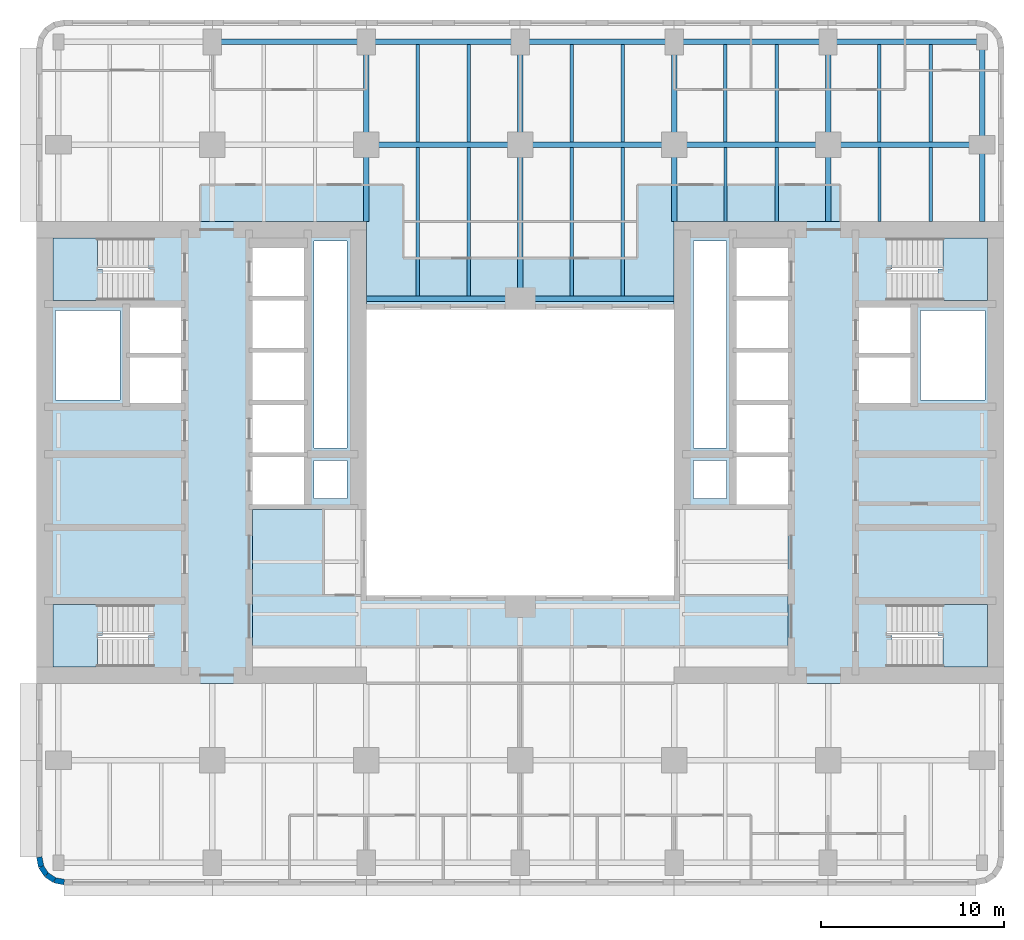
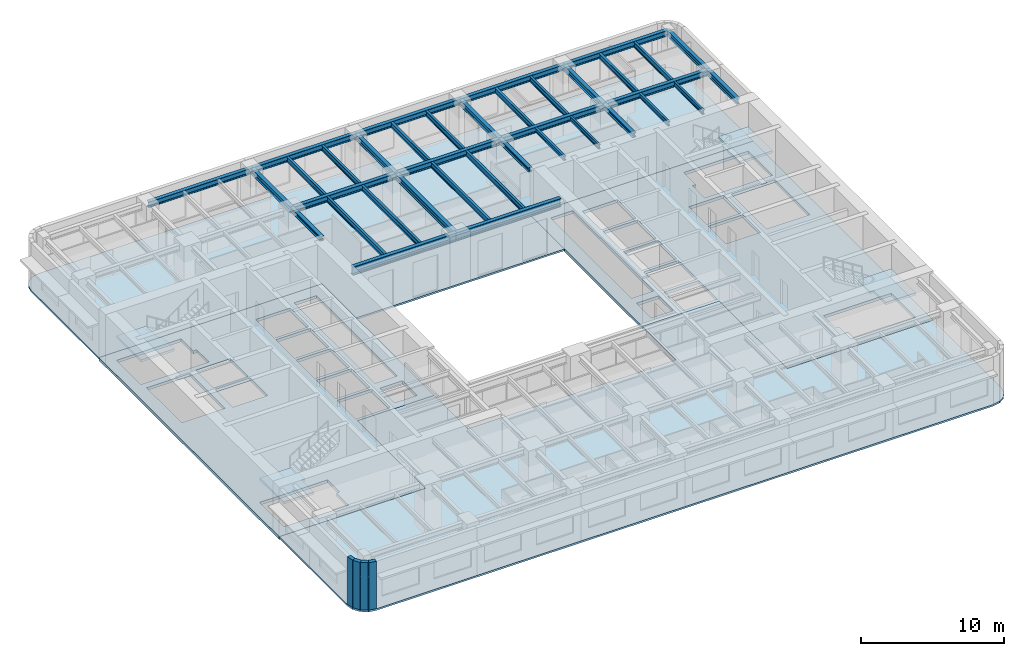
# One storey, part 2 of 11: 37 beams, 8 slabs, 4 walls, 4 elements without a shape of their own.
"""IFC4 building model written with IfcOpenShell, lengths in metres."""

from ifc_helpers import new_model, si_unit, direction, frame, frame_2d, origin, origin_2d, place, context, subcontext, project, spatial, polyline, rectangle, i_section, outline, extrude, material, layer, layer_set, material_profile, profile_set, type_object, element, aggregate, save


model = new_model("IFC4")

# Units and contexts
model_context = context("Model", 3, precision=1e-05, world=origin(), true_north=direction((0.0, 1.0)))
body_context = subcontext(model_context, "Body", "Model", "MODEL_VIEW")
ifc_project = project(units=[si_unit("LENGTHUNIT", "METRE"), si_unit("AREAUNIT", "SQUARE_METRE"), si_unit("VOLUMEUNIT", "CUBIC_METRE"), si_unit("PLANEANGLEUNIT", "RADIAN"), si_unit("MASSUNIT", "GRAM", prefix="KILO")], contexts=[model_context])

# Site, building, storey
site_placement = place(None, origin())
site = spatial("IfcSite", under=ifc_project, at=site_placement, CompositionType="ELEMENT")
building_placement = place(site_placement, origin())
building = spatial("IfcBuilding", under=site, at=building_placement, Name="Claustro Exchange Tower", CompositionType="ELEMENT")
storey_placement = place(building_placement, frame((0.0, 0.0, 134.39990234375)))
storey = spatial("IfcBuildingStorey", under=building, at=storey_placement, Name="L30", CompositionType="ELEMENT", Elevation=134.39990234375)

# Beams
ifc_material_1 = material(Name="Steel S355", Category="steel")
ifc_material_profile_1 = material_profile(ifc_material_1, i_section(OverallWidth=0.300048828125, OverallDepth=0.68994140625, WebThickness=0.014404296875, FlangeThickness=0.027099609375, FilletRadius=0.027099609375, at=origin_2d()), Name="HE 700 A")
ifc_profile_set_1 = profile_set([ifc_material_profile_1], Name="Steel S355")
beam_type_1 = type_object("IfcBeamType", Name="B13 HE 700 A light well edge girder", PredefinedType="BEAM", material=ifc_profile_set_1)
beam_1_placement = place(storey_placement, frame((16.800048828125, 33.60009765625, 3.705078125), z_axis=(1.0, 0.0, 0.0), x_axis=(0.0, 1.0, 0.0)))
element("IfcBeam", 1, at=beam_1_placement, inside=storey, type_object=beam_type_1, Name="Beam B13 L31", PredefinedType="BEAM", context=body_context, shape_type="SweptSolid", body=[
    extrude(i_section(OverallWidth=0.300048828125, OverallDepth=0.68994140625, WebThickness=0.014404296875, FlangeThickness=0.027099609375, FilletRadius=0.027099609375, at=origin_2d()), origin(), (0.0, 0.0, 1.0), 8.39990234375),
])
beam_2_placement = place(storey_placement, frame((25.199951171875, 33.60009765625, 3.705078125), z_axis=(1.0, 0.0, 0.0), x_axis=(0.0, 1.0, 0.0)))
element("IfcBeam", 2, at=beam_2_placement, inside=storey, type_object=beam_type_1, Name="Beam B13 L31", PredefinedType="BEAM", context=body_context, shape_type="SweptSolid", body=[
    extrude(i_section(OverallWidth=0.300048828125, OverallDepth=0.68994140625, WebThickness=0.014404296875, FlangeThickness=0.027099609375, FilletRadius=0.027099609375, at=origin_2d()), origin(), (0.0, 0.0, 1.0), 8.400146484375),
])
ifc_material_2 = material(Name="Steel S355", Category="steel")
ifc_material_profile_2 = material_profile(ifc_material_2, i_section(OverallWidth=0.169921875, OverallDepth=0.360107421875, WebThickness=0.008056640625, FlangeThickness=0.0126953125, FilletRadius=0.01806640625, at=origin_2d()), Name="IPE 360")
ifc_profile_set_2 = profile_set([ifc_material_profile_2], Name="Steel S355")
beam_type_2 = type_object("IfcBeamType", Name="B16 IPE 360 short-span beam", PredefinedType="BEAM", material=ifc_profile_set_2)
for number, where, z_axis, x_axis, name in (
    (3, (36.39990234375, 37.7900390625, 3.8701171875), (0.0, 1.0, 0.0), (-1.0, 0.0, 0.0), "Beam B16 L31"),
    (4, (39.199951171875, 37.7900390625, 3.8701171875), (0.0, 1.0, 0.0), (-1.0, 0.0, 0.0), "Beam B16 L31"),
    (5, (44.800048828125, 37.7900390625, 3.8701171875), (0.0, 1.0, 0.0), (-1.0, 0.0, 0.0), "Beam B16 L31"),
    (6, (47.60009765625, 37.7900390625, 3.8701171875), (0.0, 1.0, 0.0), (-1.0, 0.0, 0.0), "Beam B16 L31"),
):
    element("IfcBeam", number, at=place(storey_placement, frame(where, z_axis=z_axis, x_axis=x_axis)), inside=storey, type_object=beam_type_2, Name=name, PredefinedType="BEAM", context=body_context, shape_type="SweptSolid", body=[
        extrude(i_section(OverallWidth=0.169921875, OverallDepth=0.360107421875, WebThickness=0.008056640625, FlangeThickness=0.0126953125, FilletRadius=0.01806640625, at=origin_2d()), origin(), (0.0, 0.0, 1.0), 4.06005859375),
    ])
ifc_material_3 = material(Name="Steel S355", Category="steel")
ifc_material_profile_3 = material_profile(ifc_material_3, i_section(OverallWidth=0.300048828125, OverallDepth=0.360107421875, WebThickness=0.012451171875, FlangeThickness=0.0224609375, FilletRadius=0.027099609375, at=origin_2d()), Name="HE 360 B")
ifc_profile_set_3 = profile_set([ifc_material_profile_3], Name="Steel S355")
beam_type_3 = type_object("IfcBeamType", Name="B29 HE 360 B column to core link beam", PredefinedType="BEAM", material=ifc_profile_set_3)
for number, where, z_axis, x_axis, name in (
    (7, (16.800048828125, 37.800048828125, 3.8701171875), (0.0, 1.0, 0.0), (-1.0, 0.0, 0.0), "Beam B29 L31"),
    (8, (33.60009765625, 37.800048828125, 3.8701171875), (0.0, 1.0, 0.0), (-1.0, 0.0, 0.0), "Beam B29 L31"),
    (9, (42.0, 37.800048828125, 3.8701171875), (0.0, 1.0, 0.0), (-1.0, 0.0, 0.0), "Beam B29 L31"),
):
    element("IfcBeam", number, at=place(storey_placement, frame(where, z_axis=z_axis, x_axis=x_axis)), inside=storey, type_object=beam_type_3, Name=name, PredefinedType="BEAM", context=body_context, shape_type="SweptSolid", body=[
        extrude(i_section(OverallWidth=0.300048828125, OverallDepth=0.360107421875, WebThickness=0.012451171875, FlangeThickness=0.0224609375, FilletRadius=0.027099609375, at=origin_2d()), origin(), (0.0, 0.0, 1.0), 4.199951171875),
    ])
ifc_material_4 = material(Name="Steel S355", Category="steel")
ifc_material_profile_4 = material_profile(ifc_material_4, i_section(OverallWidth=0.300048828125, OverallDepth=0.5, WebThickness=0.014404296875, FlangeThickness=0.028076171875, FilletRadius=0.027099609375, at=origin_2d()), Name="HE 500 B")
ifc_profile_set_4 = profile_set([ifc_material_profile_4], Name="Steel S355")
beam_type_4 = type_object("IfcBeamType", Name="B7 HE 500 B floor girder", PredefinedType="BEAM", material=ifc_profile_set_4)
beam_3_placement = place(storey_placement, frame((16.800048828125, 42.0, 3.800048828125), z_axis=(0.0, 1.0, 0.0), x_axis=(-1.0, 0.0, 0.0)))
element("IfcBeam", 10, at=beam_3_placement, inside=storey, type_object=beam_type_4, Name="Beam B7 L31", PredefinedType="BEAM", context=body_context, shape_type="SweptSolid", body=[
    extrude(i_section(OverallWidth=0.300048828125, OverallDepth=0.5, WebThickness=0.014404296875, FlangeThickness=0.028076171875, FilletRadius=0.027099609375, at=origin_2d()), origin(), (0.0, 0.0, 1.0), 5.60009765625),
])
beam_4_placement = place(storey_placement, frame((25.199951171875, 33.60009765625, 3.800048828125), z_axis=(0.0, 1.0, 0.0), x_axis=(-1.0, 0.0, 0.0)))
element("IfcBeam", 11, at=beam_4_placement, inside=storey, type_object=beam_type_4, Name="Beam B7 L31", PredefinedType="BEAM", context=body_context, shape_type="SweptSolid", body=[
    extrude(i_section(OverallWidth=0.300048828125, OverallDepth=0.5, WebThickness=0.014404296875, FlangeThickness=0.028076171875, FilletRadius=0.027099609375, at=origin_2d()), origin(), (0.0, 0.0, 1.0), 8.39990234375),
])
for number, where, z_axis, x_axis, name in (
    (12, (25.199951171875, 42.0, 3.800048828125), (0.0, 1.0, 0.0), (-1.0, 0.0, 0.0), "Beam B7 L31"),
    (13, (33.60009765625, 42.0, 3.800048828125), (0.0, 1.0, 0.0), (-1.0, 0.0, 0.0), "Beam B7 L31"),
    (14, (42.0, 42.0, 3.800048828125), (0.0, 1.0, 0.0), (-1.0, 0.0, 0.0), "Beam B7 L31"),
):
    element("IfcBeam", number, at=place(storey_placement, frame(where, z_axis=z_axis, x_axis=x_axis)), inside=storey, type_object=beam_type_4, Name=name, PredefinedType="BEAM", context=body_context, shape_type="SweptSolid", body=[
        extrude(i_section(OverallWidth=0.300048828125, OverallDepth=0.5, WebThickness=0.014404296875, FlangeThickness=0.028076171875, FilletRadius=0.027099609375, at=origin_2d()), origin(), (0.0, 0.0, 1.0), 5.60009765625),
    ])
beam_5_placement = place(storey_placement, frame((16.800048828125, 42.0, 3.800048828125), z_axis=(1.0, 0.0, 0.0), x_axis=(0.0, 1.0, 0.0)))
element("IfcBeam", 15, at=beam_5_placement, inside=storey, type_object=beam_type_4, Name="Beam B7 L31", PredefinedType="BEAM", context=body_context, shape_type="SweptSolid", body=[
    extrude(i_section(OverallWidth=0.300048828125, OverallDepth=0.5, WebThickness=0.014404296875, FlangeThickness=0.028076171875, FilletRadius=0.027099609375, at=origin_2d()), origin(), (0.0, 0.0, 1.0), 8.39990234375),
])
beam_6_placement = place(storey_placement, frame((25.199951171875, 42.0, 3.800048828125), z_axis=(1.0, 0.0, 0.0), x_axis=(0.0, 1.0, 0.0)))
element("IfcBeam", 16, at=beam_6_placement, inside=storey, type_object=beam_type_4, Name="Beam B7 L31", PredefinedType="BEAM", context=body_context, shape_type="SweptSolid", body=[
    extrude(i_section(OverallWidth=0.300048828125, OverallDepth=0.5, WebThickness=0.014404296875, FlangeThickness=0.028076171875, FilletRadius=0.027099609375, at=origin_2d()), origin(), (0.0, 0.0, 1.0), 8.400146484375),
])
for number, where, z_axis, x_axis, name in (
    (17, (33.60009765625, 42.0, 3.800048828125), (1.0, 0.0, 0.0), (0.0, 1.0, 0.0), "Beam B7 L31"),
    (18, (42.0, 42.0, 3.800048828125), (1.0, 0.0, 0.0), (0.0, 1.0, 0.0), "Beam B7 L31"),
):
    element("IfcBeam", number, at=place(storey_placement, frame(where, z_axis=z_axis, x_axis=x_axis)), inside=storey, type_object=beam_type_4, Name=name, PredefinedType="BEAM", context=body_context, shape_type="SweptSolid", body=[
        extrude(i_section(OverallWidth=0.300048828125, OverallDepth=0.5, WebThickness=0.014404296875, FlangeThickness=0.028076171875, FilletRadius=0.027099609375, at=origin_2d()), origin(), (0.0, 0.0, 1.0), 8.39990234375),
    ])
ifc_material_5 = material(Name="Steel S355", Category="steel")
ifc_material_profile_5 = material_profile(ifc_material_5, i_section(OverallWidth=0.18994140625, OverallDepth=0.449951171875, WebThickness=0.009521484375, FlangeThickness=0.0146484375, FilletRadius=0.02099609375, at=origin_2d()), Name="IPE 450")
ifc_profile_set_5 = profile_set([ifc_material_profile_5], Name="Steel S355")
beam_type_5 = type_object("IfcBeamType", Name="B8 IPE 450 secondary beam", PredefinedType="BEAM", material=ifc_profile_set_5)
for number, where, z_axis, x_axis, name in (
    (19, (19.60009765625, 33.75, 3.8251953125), (0.0, 1.0, 0.0), (-1.0, 0.0, 0.0), "Beam B8 L31"),
    (20, (22.39990234375, 33.75, 3.8251953125), (0.0, 1.0, 0.0), (-1.0, 0.0, 0.0), "Beam B8 L31"),
):
    element("IfcBeam", number, at=place(storey_placement, frame(where, z_axis=z_axis, x_axis=x_axis)), inside=storey, type_object=beam_type_5, Name=name, PredefinedType="BEAM", context=body_context, shape_type="SweptSolid", body=[
        extrude(i_section(OverallWidth=0.18994140625, OverallDepth=0.449951171875, WebThickness=0.009521484375, FlangeThickness=0.0146484375, FilletRadius=0.02099609375, at=origin_2d()), origin(), (0.0, 0.0, 1.0), 8.10009765625),
    ])
for number, where, z_axis, x_axis, name in (
    (21, (19.60009765625, 42.14990234375, 3.8251953125), (0.0, 1.0, 0.0), (-1.0, 0.0, 0.0), "Beam B8 L31"),
    (22, (22.39990234375, 42.14990234375, 3.8251953125), (0.0, 1.0, 0.0), (-1.0, 0.0, 0.0), "Beam B8 L31"),
):
    element("IfcBeam", number, at=place(storey_placement, frame(where, z_axis=z_axis, x_axis=x_axis)), inside=storey, type_object=beam_type_5, Name=name, PredefinedType="BEAM", context=body_context, shape_type="SweptSolid", body=[
        extrude(i_section(OverallWidth=0.18994140625, OverallDepth=0.449951171875, WebThickness=0.009521484375, FlangeThickness=0.0146484375, FilletRadius=0.02099609375, at=origin_2d()), origin(), (0.0, 0.0, 1.0), 5.300048828125),
    ])
for number, where, z_axis, x_axis, name in (
    (23, (28.0, 33.75, 3.8251953125), (0.0, 1.0, 0.0), (-1.0, 0.0, 0.0), "Beam B8 L31"),
    (24, (30.800048828125, 33.75, 3.8251953125), (0.0, 1.0, 0.0), (-1.0, 0.0, 0.0), "Beam B8 L31"),
):
    element("IfcBeam", number, at=place(storey_placement, frame(where, z_axis=z_axis, x_axis=x_axis)), inside=storey, type_object=beam_type_5, Name=name, PredefinedType="BEAM", context=body_context, shape_type="SweptSolid", body=[
        extrude(i_section(OverallWidth=0.18994140625, OverallDepth=0.449951171875, WebThickness=0.009521484375, FlangeThickness=0.0146484375, FilletRadius=0.02099609375, at=origin_2d()), origin(), (0.0, 0.0, 1.0), 8.10009765625),
    ])
for number, where, z_axis, x_axis, name in (
    (25, (28.0, 42.14990234375, 3.8251953125), (0.0, 1.0, 0.0), (-1.0, 0.0, 0.0), "Beam B8 L31"),
    (26, (30.800048828125, 42.14990234375, 3.8251953125), (0.0, 1.0, 0.0), (-1.0, 0.0, 0.0), "Beam B8 L31"),
    (27, (36.39990234375, 42.14990234375, 3.8251953125), (0.0, 1.0, 0.0), (-1.0, 0.0, 0.0), "Beam B8 L31"),
    (28, (39.199951171875, 42.14990234375, 3.8251953125), (0.0, 1.0, 0.0), (-1.0, 0.0, 0.0), "Beam B8 L31"),
    (29, (44.800048828125, 42.14990234375, 3.8251953125), (0.0, 1.0, 0.0), (-1.0, 0.0, 0.0), "Beam B8 L31"),
    (30, (47.60009765625, 42.14990234375, 3.8251953125), (0.0, 1.0, 0.0), (-1.0, 0.0, 0.0), "Beam B8 L31"),
):
    element("IfcBeam", number, at=place(storey_placement, frame(where, z_axis=z_axis, x_axis=x_axis)), inside=storey, type_object=beam_type_5, Name=name, PredefinedType="BEAM", context=body_context, shape_type="SweptSolid", body=[
        extrude(i_section(OverallWidth=0.18994140625, OverallDepth=0.449951171875, WebThickness=0.009521484375, FlangeThickness=0.0146484375, FilletRadius=0.02099609375, at=origin_2d()), origin(), (0.0, 0.0, 1.0), 5.300048828125),
    ])
ifc_material_6 = material(Name="Steel S355", Category="steel")
ifc_material_profile_6 = material_profile(ifc_material_6, i_section(OverallWidth=0.300048828125, OverallDepth=0.489990234375, WebThickness=0.011962890625, FlangeThickness=0.02294921875, FilletRadius=0.027099609375, at=origin_2d()), Name="HE 500 A")
ifc_profile_set_6 = profile_set([ifc_material_profile_6], Name="Steel S355")
beam_type_6 = type_object("IfcBeamType", Name="B9 HE 500 A spandrel edge girder", PredefinedType="SPANDREL", material=ifc_profile_set_6)
beam_7_placement = place(storey_placement, frame((50.39990234375, 37.800048828125, 3.80517578125), z_axis=(0.0, 1.0, 0.0), x_axis=(-1.0, 0.0, 0.0)))
element("IfcBeam", 31, at=beam_7_placement, inside=storey, type_object=beam_type_6, Name="Beam B9 L31", PredefinedType="SPANDREL", context=body_context, shape_type="SweptSolid", body=[
    extrude(i_section(OverallWidth=0.300048828125, OverallDepth=0.489990234375, WebThickness=0.011962890625, FlangeThickness=0.02294921875, FilletRadius=0.027099609375, at=origin_2d()), origin(), (0.0, 0.0, 1.0), 4.199951171875),
])
beam_8_placement = place(storey_placement, frame((50.39990234375, 42.0, 3.80517578125), z_axis=(0.0, 1.0, 0.0), x_axis=(-1.0, 0.0, 0.0)))
element("IfcBeam", 32, at=beam_8_placement, inside=storey, type_object=beam_type_6, Name="Beam B9 L31", PredefinedType="SPANDREL", context=body_context, shape_type="SweptSolid", body=[
    extrude(i_section(OverallWidth=0.300048828125, OverallDepth=0.489990234375, WebThickness=0.011962890625, FlangeThickness=0.02294921875, FilletRadius=0.027099609375, at=origin_2d()), origin(), (0.0, 0.0, 1.0), 5.60009765625),
])
beam_9_placement = place(storey_placement, frame((8.39990234375, 47.60009765625, 3.80517578125), z_axis=(1.0, 0.0, 0.0), x_axis=(0.0, 1.0, 0.0)))
element("IfcBeam", 33, at=beam_9_placement, inside=storey, type_object=beam_type_6, Name="Beam B9 L31", PredefinedType="SPANDREL", context=body_context, shape_type="SweptSolid", body=[
    extrude(i_section(OverallWidth=0.300048828125, OverallDepth=0.489990234375, WebThickness=0.011962890625, FlangeThickness=0.02294921875, FilletRadius=0.027099609375, at=origin_2d()), origin(), (0.0, 0.0, 1.0), 8.400146484375),
])
beam_10_placement = place(storey_placement, frame((16.800048828125, 47.60009765625, 3.80517578125), z_axis=(1.0, 0.0, 0.0), x_axis=(0.0, 1.0, 0.0)))
element("IfcBeam", 34, at=beam_10_placement, inside=storey, type_object=beam_type_6, Name="Beam B9 L31", PredefinedType="SPANDREL", context=body_context, shape_type="SweptSolid", body=[
    extrude(i_section(OverallWidth=0.300048828125, OverallDepth=0.489990234375, WebThickness=0.011962890625, FlangeThickness=0.02294921875, FilletRadius=0.027099609375, at=origin_2d()), origin(), (0.0, 0.0, 1.0), 8.39990234375),
])
beam_11_placement = place(storey_placement, frame((25.199951171875, 47.60009765625, 3.80517578125), z_axis=(1.0, 0.0, 0.0), x_axis=(0.0, 1.0, 0.0)))
element("IfcBeam", 35, at=beam_11_placement, inside=storey, type_object=beam_type_6, Name="Beam B9 L31", PredefinedType="SPANDREL", context=body_context, shape_type="SweptSolid", body=[
    extrude(i_section(OverallWidth=0.300048828125, OverallDepth=0.489990234375, WebThickness=0.011962890625, FlangeThickness=0.02294921875, FilletRadius=0.027099609375, at=origin_2d()), origin(), (0.0, 0.0, 1.0), 8.400146484375),
])
for number, where, z_axis, x_axis, name in (
    (36, (33.60009765625, 47.60009765625, 3.80517578125), (1.0, 0.0, 0.0), (0.0, 1.0, 0.0), "Beam B9 L31"),
    (37, (42.0, 47.60009765625, 3.80517578125), (1.0, 0.0, 0.0), (0.0, 1.0, 0.0), "Beam B9 L31"),
):
    element("IfcBeam", number, at=place(storey_placement, frame(where, z_axis=z_axis, x_axis=x_axis)), inside=storey, type_object=beam_type_6, Name=name, PredefinedType="SPANDREL", context=body_context, shape_type="SweptSolid", body=[
        extrude(i_section(OverallWidth=0.300048828125, OverallDepth=0.489990234375, WebThickness=0.011962890625, FlangeThickness=0.02294921875, FilletRadius=0.027099609375, at=origin_2d()), origin(), (0.0, 0.0, 1.0), 8.39990234375),
    ])

# Slabs
ifc_material_7 = material(Name="Concrete HA-50 (C50/60)", Category="concrete")
ifc_layer_1 = layer(ifc_material_7, 0.14990234375)
ifc_layer_set_1 = layer_set([ifc_layer_1], Name="Concrete HA-50 (C50/60)")
slab_type_1 = type_object("IfcSlabType", Name="S2 150 composite floor slab", PredefinedType="FLOOR", material=ifc_layer_set_1)
slab_1_placement = place(storey_placement, frame((0.0, 0.0, -0.14990234375)))
element("IfcSlab", 38, at=slab_1_placement, inside=storey, type_object=slab_type_1, Name="Floor slab S2 S L30", PredefinedType="FLOOR", context=body_context, shape_type="SweptSolid", body=[
    extrude(outline(polyline([(-0.27392578125, 1.714111328125), (0.300048828125, 1.60009765625), (50.10009765625, 1.60009765625), (50.674072265625, 1.714111328125), (51.16064453125, 2.039306640625), (51.48583984375, 2.52587890625), (51.60009765625, 3.10009765625), (51.60009765625, 12.60009765625), (39.800048828125, 12.60009765625), (39.800048828125, 22.10009765625), (33.60009765625, 22.10009765625), (33.60009765625, 17.39990234375), (16.800048828125, 17.39990234375), (16.800048828125, 22.10009765625), (10.60009765625, 22.10009765625), (10.60009765625, 12.60009765625), (-1.199951171875, 12.60009765625), (-1.199951171875, 3.10009765625), (-1.085693359375, 2.52587890625), (-0.7607421875, 2.039306640625), (-0.27392578125, 1.714111328125)])), origin(), (0.0, 0.0, 1.0), 0.14990234375),
])
slab_2_placement = place(storey_placement, frame((0.0, 0.0, -0.14990234375)))
element("IfcSlab", 39, at=slab_2_placement, inside=storey, type_object=slab_type_1, Name="Floor slab S2 N L30", PredefinedType="FLOOR", context=body_context, shape_type="SweptSolid", body=[
    extrude(outline(polyline([(16.800048828125, 37.800048828125), (16.800048828125, 33.0), (33.60009765625, 33.0), (33.60009765625, 37.800048828125), (51.60009765625, 37.800048828125), (51.60009765625, 47.300048828125), (51.48583984375, 47.8740234375), (51.16064453125, 48.360595703125), (50.674072265625, 48.685791015625), (50.10009765625, 48.800048828125), (0.300048828125, 48.800048828125), (-0.27392578125, 48.685791015625), (-0.7607421875, 48.360595703125), (-1.085693359375, 47.8740234375), (-1.199951171875, 47.300048828125), (-1.199951171875, 37.800048828125), (16.800048828125, 37.800048828125)])), origin(), (0.0, 0.0, 1.0), 0.14990234375),
])
ifc_material_8 = material(Name="Concrete HA-50 (C50/60)", Category="concrete")
ifc_layer_2 = layer(ifc_material_8, 0.25)
ifc_layer_set_2 = layer_set([ifc_layer_2], Name="Concrete HA-50 (C50/60)")
slab_type_2 = type_object("IfcSlabType", Name="S7 250 core floor slab", PredefinedType="FLOOR", material=ifc_layer_set_2)
slab_3_placement = place(storey_placement, frame((0.0, 0.0, -0.25)))
element("IfcSlab", 40, at=slab_3_placement, inside=storey, type_object=slab_type_2, Name="Core floor slab S7 W core L30", PredefinedType="FLOOR", context=body_context, shape_type="SweptSolid", body=[
    extrude(outline(polyline([(-1.199951171875, 37.800048828125), (-1.199951171875, 12.60009765625), (10.60009765625, 12.60009765625), (10.60009765625, 22.10009765625), (16.800048828125, 22.10009765625), (16.800048828125, 37.800048828125), (-1.199951171875, 37.800048828125)]), holes=[polyline([(13.949951171875, 24.75), (15.75, 24.75), (15.75, 22.699951171875), (13.949951171875, 22.699951171875), (13.949951171875, 24.75)]), polyline([(13.949951171875, 36.75), (15.75, 36.75), (15.75, 25.449951171875), (13.949951171875, 25.449951171875), (13.949951171875, 36.75)]), polyline([(13.39990234375, 24.949951171875), (13.39990234375, 22.35009765625), (10.60009765625, 22.35009765625), (10.60009765625, 24.949951171875), (13.39990234375, 24.949951171875)]), polyline([(13.39990234375, 27.800048828125), (13.39990234375, 25.199951171875), (10.60009765625, 25.199951171875), (10.60009765625, 27.800048828125), (13.39990234375, 27.800048828125)]), polyline([(13.39990234375, 30.64990234375), (13.39990234375, 28.050048828125), (10.60009765625, 28.050048828125), (10.60009765625, 30.64990234375), (13.39990234375, 30.64990234375)]), polyline([(13.39990234375, 33.5), (13.39990234375, 30.89990234375), (10.60009765625, 30.89990234375), (10.60009765625, 33.5), (13.39990234375, 33.5)]), polyline([(13.39990234375, 36.35009765625), (13.39990234375, 33.75), (10.60009765625, 33.75), (10.60009765625, 36.35009765625), (13.39990234375, 36.35009765625)]), polyline([(6.699951171875, 30.375), (6.699951171875, 27.89990234375), (3.89990234375, 27.89990234375), (3.89990234375, 30.375), (6.699951171875, 30.375)]), polyline([(6.699951171875, 33.10009765625), (6.699951171875, 30.625), (3.89990234375, 30.625), (3.89990234375, 33.10009765625), (6.699951171875, 33.10009765625)]), polyline([(-0.300048828125, 15.199951171875), (-0.300048828125, 16.89990234375), (5.195068359375, 16.89990234375), (5.195068359375, 15.199951171875), (4.919921875, 15.199951171875), (4.919921875, 13.5), (-0.300048828125, 13.5), (-0.300048828125, 15.199951171875)]), polyline([(-0.300048828125, 35.199951171875), (-0.300048828125, 36.89990234375), (4.919921875, 36.89990234375), (4.919921875, 35.199951171875), (5.195068359375, 35.199951171875), (5.195068359375, 33.5), (-0.300048828125, 33.5), (-0.300048828125, 35.199951171875)]), polyline([(-0.14990234375, 32.949951171875), (3.35009765625, 32.949951171875), (3.35009765625, 28.050048828125), (-0.14990234375, 28.050048828125), (-0.14990234375, 32.949951171875)])]), origin(), (0.0, 0.0, 1.0), 0.25),
])
slab_4_placement = place(storey_placement, frame((0.0, 0.0, -0.25)))
element("IfcSlab", 41, at=slab_4_placement, inside=storey, type_object=slab_type_2, Name="Core floor slab S7 E core L30", PredefinedType="FLOOR", context=body_context, shape_type="SweptSolid", body=[
    extrude(outline(polyline([(51.60009765625, 37.800048828125), (33.60009765625, 37.800048828125), (33.60009765625, 22.10009765625), (39.800048828125, 22.10009765625), (39.800048828125, 12.60009765625), (51.60009765625, 12.60009765625), (51.60009765625, 37.800048828125)]), holes=[polyline([(45.47998046875, 15.199951171875), (45.205078125, 15.199951171875), (45.205078125, 16.89990234375), (50.699951171875, 16.89990234375), (50.699951171875, 15.199951171875), (50.699951171875, 13.5), (45.47998046875, 13.5), (45.47998046875, 15.199951171875)]), polyline([(45.47998046875, 35.199951171875), (45.47998046875, 36.89990234375), (50.699951171875, 36.89990234375), (50.699951171875, 35.199951171875), (50.699951171875, 33.5), (45.205078125, 33.5), (45.205078125, 35.199951171875), (45.47998046875, 35.199951171875)]), polyline([(50.550048828125, 32.949951171875), (50.550048828125, 28.050048828125), (47.050048828125, 28.050048828125), (47.050048828125, 32.949951171875), (50.550048828125, 32.949951171875)]), polyline([(43.699951171875, 33.10009765625), (46.5, 33.10009765625), (46.5, 30.625), (43.699951171875, 30.625), (43.699951171875, 33.10009765625)]), polyline([(46.5, 30.375), (46.5, 27.89990234375), (43.699951171875, 27.89990234375), (43.699951171875, 30.375), (46.5, 30.375)]), polyline([(37.0, 24.949951171875), (39.800048828125, 24.949951171875), (39.800048828125, 22.35009765625), (37.0, 22.35009765625), (37.0, 24.949951171875)]), polyline([(37.0, 30.64990234375), (39.800048828125, 30.64990234375), (39.800048828125, 28.050048828125), (37.0, 28.050048828125), (37.0, 30.64990234375)]), polyline([(39.800048828125, 27.800048828125), (39.800048828125, 25.199951171875), (37.0, 25.199951171875), (37.0, 27.800048828125), (39.800048828125, 27.800048828125)]), polyline([(39.800048828125, 33.5), (39.800048828125, 30.89990234375), (37.0, 30.89990234375), (37.0, 33.5), (39.800048828125, 33.5)]), polyline([(39.800048828125, 36.35009765625), (39.800048828125, 33.75), (37.0, 33.75), (37.0, 36.35009765625), (39.800048828125, 36.35009765625)]), polyline([(36.449951171875, 24.75), (36.449951171875, 22.699951171875), (34.64990234375, 22.699951171875), (34.64990234375, 24.75), (36.449951171875, 24.75)]), polyline([(36.449951171875, 36.75), (36.449951171875, 25.449951171875), (34.64990234375, 25.449951171875), (34.64990234375, 36.75), (36.449951171875, 36.75)])]), origin(), (0.0, 0.0, 1.0), 0.25),
])

# Stair, slab
ifc_material_9 = material(Name="Concrete HA-30 (C30/37), precast", Category="concrete")
stair_type = type_object("IfcStairType", Name="ST1 half-turn stair, 24 risers of 175", PredefinedType="HALF_TURN_STAIR", material=ifc_material_9)
stair_1_placement = place(storey_placement, origin())
stair_1 = element("IfcStair", 42, at=stair_1_placement, inside=storey, type_object=stair_type, Name="Stair STWA L30", PredefinedType="HALF_TURN_STAIR")
ifc_material_10 = material(Name="Concrete HA-30 (C30/37), precast", Category="concrete")
ifc_layer_3 = layer(ifc_material_10, 0.199951171875)
ifc_layer_set_3 = layer_set([ifc_layer_3], Name="Concrete HA-30 (C30/37), precast")
slab_type_3 = type_object("IfcSlabType", Name="S9 200 stair landing", PredefinedType="LANDING", material=ifc_layer_set_3)
slab_5_placement = place(storey_placement, frame((0.0, 0.0, 1.900146484375)))
slab_5 = element("IfcSlab", 43, at=slab_5_placement, type_object=slab_type_3, Name="STWA landing 1", PredefinedType="LANDING", context=body_context, shape_type="SweptSolid", body=[
    extrude(outline(polyline([(2.125, 13.5), (-0.300048828125, 13.5), (-0.300048828125, 16.89990234375), (2.1201171875, 16.89990234375), (2.125, 16.89990234375), (2.39990234375, 16.89990234375), (2.39990234375, 15.199951171875), (2.125, 15.199951171875), (2.125, 13.5)])), origin(), (0.0, 0.0, 1.0), 0.199951171875),
])
aggregate(stair_1, [slab_5])

stair_2_placement = place(storey_placement, origin())
stair_2 = element("IfcStair", 44, at=stair_2_placement, inside=storey, type_object=stair_type, Name="Stair STWB L30", PredefinedType="HALF_TURN_STAIR")
slab_6_placement = place(storey_placement, frame((0.0, 0.0, 1.900146484375)))
slab_6 = element("IfcSlab", 45, at=slab_6_placement, type_object=slab_type_3, Name="STWB landing 1", PredefinedType="LANDING", context=body_context, shape_type="SweptSolid", body=[
    extrude(outline(polyline([(2.39990234375, 35.199951171875), (2.39990234375, 33.5), (2.125, 33.5), (2.1201171875, 33.5), (-0.300048828125, 33.5), (-0.300048828125, 36.89990234375), (2.125, 36.89990234375), (2.125, 35.199951171875), (2.39990234375, 35.199951171875)])), origin(), (0.0, 0.0, 1.0), 0.199951171875),
])
aggregate(stair_2, [slab_6])

stair_3_placement = place(storey_placement, origin())
stair_3 = element("IfcStair", 46, at=stair_3_placement, inside=storey, type_object=stair_type, Name="Stair STEA L30", PredefinedType="HALF_TURN_STAIR")
slab_7_placement = place(storey_placement, frame((0.0, 0.0, 1.900146484375)))
slab_7 = element("IfcSlab", 47, at=slab_7_placement, type_object=slab_type_3, Name="STEA landing 1", PredefinedType="LANDING", context=body_context, shape_type="SweptSolid", body=[
    extrude(outline(polyline([(50.699951171875, 16.89990234375), (50.699951171875, 13.5), (48.27490234375, 13.5), (48.27490234375, 15.199951171875), (48.0, 15.199951171875), (48.0, 16.89990234375), (48.27490234375, 16.89990234375), (48.280029296875, 16.89990234375), (50.699951171875, 16.89990234375)])), origin(), (0.0, 0.0, 1.0), 0.199951171875),
])
aggregate(stair_3, [slab_7])

stair_4_placement = place(storey_placement, origin())
stair_4 = element("IfcStair", 48, at=stair_4_placement, inside=storey, type_object=stair_type, Name="Stair STEB L30", PredefinedType="HALF_TURN_STAIR")
slab_8_placement = place(storey_placement, frame((0.0, 0.0, 1.900146484375)))
slab_8 = element("IfcSlab", 49, at=slab_8_placement, type_object=slab_type_3, Name="STEB landing 1", PredefinedType="LANDING", context=body_context, shape_type="SweptSolid", body=[
    extrude(outline(polyline([(48.0, 33.5), (48.0, 35.199951171875), (48.27490234375, 35.199951171875), (48.27490234375, 36.89990234375), (50.699951171875, 36.89990234375), (50.699951171875, 33.5), (48.280029296875, 33.5), (48.27490234375, 33.5), (48.0, 33.5)])), origin(), (0.0, 0.0, 1.0), 0.199951171875),
])
aggregate(stair_4, [slab_8])

# Walls
ifc_material_11 = material(Name="Concrete HA-40 (C40/50), precast, white cement, acid-etched", Category="concrete")
ifc_layer_4 = layer(ifc_material_11, 0.300048828125)
ifc_layer_set_4 = layer_set([ifc_layer_4], Name="Concrete HA-40 (C40/50), precast, white cement, acid-etched")
wall_type = type_object("IfcWallType", Name="PC1 300 precast concrete pier panel", PredefinedType="SOLIDWALL", material=ifc_layer_set_4)
wall_1_placement = place(storey_placement, frame((0.314697265625, 1.75, 0.0), z_axis=(0.0, 0.0, 1.0), x_axis=(-0.980788534345, 0.195073962632, 0.0)))
element("IfcWall", 50, at=wall_1_placement, inside=storey, type_object=wall_type, Name="Precast pier panel PC1 L30", PredefinedType="SOLIDWALL", context=body_context, shape_type="SweptSolid", body=[
    extrude(rectangle(XDim=0.540771484375, YDim=0.300048828125, at=frame_2d((0.2705078125, 0.0))), origin(), (0.0, 0.0, 1.0), 4.050048828125),
])
for number, where, z_axis, x_axis, name in (
    (51, (-0.215576171875, 1.85546875, 0.0), (0.0, 0.0, 1.0), (-0.831478144188, 0.555557463938, 0.0), "Precast pier panel PC1 L30"),
    (52, (-0.652587890625, 2.1474609375, 0.0), (0.0, 0.0, 1.0), (-0.555557463938, 0.831478144188, 0.0), "Precast pier panel PC1 L30"),
):
    element("IfcWall", number, at=place(storey_placement, frame(where, z_axis=z_axis, x_axis=x_axis)), inside=storey, type_object=wall_type, Name=name, PredefinedType="SOLIDWALL", context=body_context, shape_type="SweptSolid", body=[
        extrude(rectangle(XDim=0.525634765625, YDim=0.300048828125, at=frame_2d((0.2626953125, 0.0))), origin(), (0.0, 0.0, 1.0), 4.050048828125),
    ])
wall_2_placement = place(storey_placement, frame((-0.944580078125, 2.58447265625, 0.0), z_axis=(0.0, 0.0, 1.0), x_axis=(-0.195073962632, 0.980788534345, 0.0)))
element("IfcWall", 53, at=wall_2_placement, inside=storey, type_object=wall_type, Name="Precast pier panel PC1 L30", PredefinedType="SOLIDWALL", context=body_context, shape_type="SweptSolid", body=[
    extrude(rectangle(XDim=0.540771484375, YDim=0.300048828125, at=frame_2d((0.2705078125, 0.0))), origin(), (0.0, 0.0, 1.0), 4.050048828125),
])

save(model, "model.ifc")
